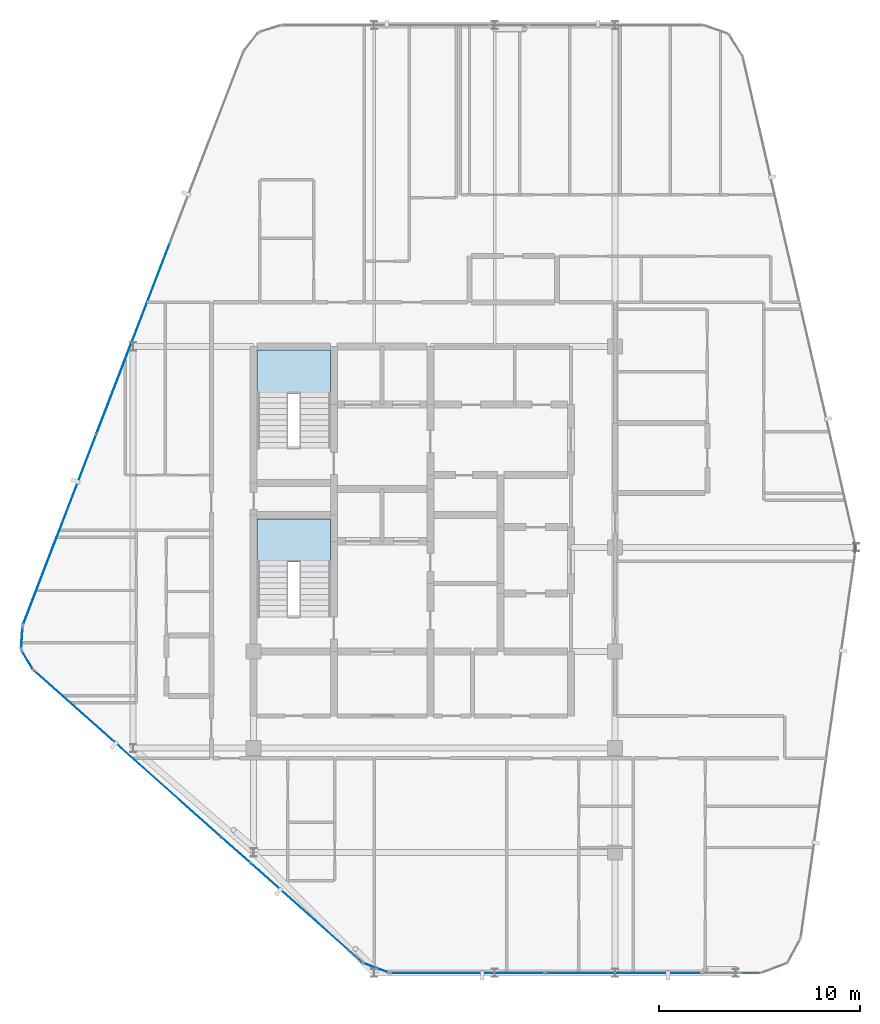
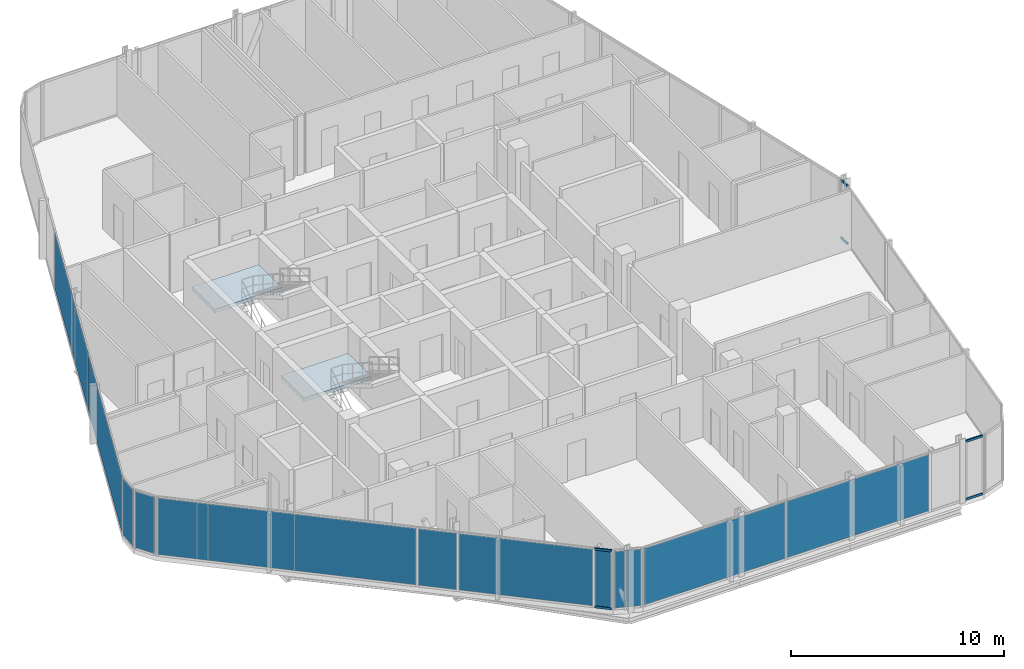
# One storey, part 22 of 30: 11 plates, 6 members, 2 slabs, 13 elements without a shape of their own.
"""IFC4 building model written with IfcOpenShell, lengths in metres."""

from ifc_helpers import new_model, si_unit, direction, frame, origin, origin_2d, place, context, subcontext, project, spatial, polyline, rectangle, hollow_rectangle, outline, extrude, material, layer, layer_set, material_profile, profile_set, type_object, element, aggregate, save


model = new_model("IFC4")

# Units and contexts
model_context = context("Model", 3, precision=1e-05, world=origin(), true_north=direction((0.0, 1.0)))
body_context = subcontext(model_context, "Body", "Model", "MODEL_VIEW")
ifc_project = project(units=[si_unit("LENGTHUNIT", "METRE"), si_unit("AREAUNIT", "SQUARE_METRE"), si_unit("VOLUMEUNIT", "CUBIC_METRE"), si_unit("PLANEANGLEUNIT", "RADIAN"), si_unit("MASSUNIT", "GRAM", prefix="KILO")], contexts=[model_context])

# Site, building, storey
site_placement = place(None, origin())
site = spatial("IfcSite", under=ifc_project, at=site_placement, CompositionType="ELEMENT")
building_placement = place(site_placement, origin())
building = spatial("IfcBuilding", under=site, at=building_placement, Name="Keshet Zoharim Tower", CompositionType="ELEMENT")
storey_placement = place(building_placement, frame((0.0, 0.0, 280.60009765625)))
storey = spatial("IfcBuildingStorey", under=building, at=storey_placement, Name="L70", CompositionType="ELEMENT", Elevation=280.60009765625)

# Curtain wall, members
ifc_material_1 = material(Name="Aluminium 6063-T6", Category="aluminium")
ifc_layer_1 = layer(ifc_material_1, 0.260009765625)
ifc_layer_set_1 = layer_set([ifc_layer_1], Name="Aluminium 6063-T6")
curtain_wall_type = type_object("IfcCurtainWallType", Name="CW-SYS-06", PredefinedType="NOTDEFINED", material=ifc_layer_set_1)
curtain_wall_1_placement = place(storey_placement, origin())
curtain_wall_1 = element("IfcCurtainWall", 1, at=curtain_wall_1_placement, inside=storey, type_object=curtain_wall_type, Name="L70 Unitised Curtain Wall 10", PredefinedType="NOTDEFINED")
ifc_material_profile = material_profile(ifc_material_1, hollow_rectangle(XDim=0.074951171875, YDim=0.1201171875, WallThickness=0.00390625, at=origin_2d()), Name="TRN-75x120")
ifc_profile_set = profile_set([ifc_material_profile], Name="Aluminium 6063-T6")
member_type = type_object("IfcMemberType", Name="CWT-T12", PredefinedType="USERDEFINED", material=ifc_profile_set)
member_1_placement = place(storey_placement, frame((44.9189453125, 28.192138671875, 0.034912109375), z_axis=(0.043813905352, -0.99903970977, 0.0), x_axis=(0.99903970977, 0.043813905352, 0.0)))
member_1 = element("IfcMember", 2, at=member_1_placement, type_object=member_type, Name="CW-06 transom 1.1", ObjectType="TRANSOM", PredefinedType="USERDEFINED", context=body_context, shape_type="SweptSolid", body=[
    extrude(hollow_rectangle(XDim=0.074951171875, YDim=0.1201171875, WallThickness=0.00390625, at=origin_2d()), origin(), (0.0, 0.0, 1.0), 0.590576171875),
])
member_2_placement = place(storey_placement, frame((44.9189453125, 28.192138671875, 3.35498046875), z_axis=(0.043813905352, -0.99903970977, 0.0), x_axis=(0.99903970977, 0.043813905352, 0.0)))
member_2 = element("IfcMember", 3, at=member_2_placement, type_object=member_type, Name="CW-06 transom 1.2", ObjectType="TRANSOM", PredefinedType="USERDEFINED", context=body_context, shape_type="SweptSolid", body=[
    extrude(hollow_rectangle(XDim=0.074951171875, YDim=0.1201171875, WallThickness=0.00390625, at=origin_2d()), origin(), (0.0, 0.0, 1.0), 0.590576171875),
])
aggregate(curtain_wall_1, [member_1, member_2])

curtain_wall_2_placement = place(storey_placement, origin())
curtain_wall_2 = element("IfcCurtainWall", 4, at=curtain_wall_2_placement, inside=storey, type_object=curtain_wall_type, Name="L70 Unitised Curtain Wall 14", PredefinedType="NOTDEFINED")
member_3_placement = place(storey_placement, frame((40.193115234375, 6.699951171875, 0.034912109375), z_axis=(-1.0, 0.0, 0.0), x_axis=(0.0, -1.0, 0.0)))
member_3 = element("IfcMember", 5, at=member_3_placement, type_object=member_type, Name="CW-06 transom 1.1", ObjectType="TRANSOM", PredefinedType="USERDEFINED", context=body_context, shape_type="SweptSolid", body=[
    extrude(hollow_rectangle(XDim=0.074951171875, YDim=0.1201171875, WallThickness=0.00390625, at=origin_2d()), origin(), (0.0, 0.0, 1.0), 0.898193359375),
])
member_4_placement = place(storey_placement, frame((40.193115234375, 6.699951171875, 3.35498046875), z_axis=(-1.0, 0.0, 0.0), x_axis=(0.0, -1.0, 0.0)))
member_4 = element("IfcMember", 6, at=member_4_placement, type_object=member_type, Name="CW-06 transom 1.2", ObjectType="TRANSOM", PredefinedType="USERDEFINED", context=body_context, shape_type="SweptSolid", body=[
    extrude(hollow_rectangle(XDim=0.074951171875, YDim=0.1201171875, WallThickness=0.00390625, at=origin_2d()), origin(), (0.0, 0.0, 1.0), 0.898193359375),
])
aggregate(curtain_wall_2, [member_3, member_4])

curtain_wall_3_placement = place(storey_placement, origin())
curtain_wall_3 = element("IfcCurtainWall", 7, at=curtain_wall_3_placement, inside=storey, type_object=curtain_wall_type, Name="L70 Unitised Curtain Wall 16", PredefinedType="NOTDEFINED")
member_5_placement = place(storey_placement, frame((20.379638671875, 7.25146484375, 0.034912109375), z_axis=(-0.747425688953, 0.66434542182, 0.0), x_axis=(-0.66434542182, -0.747425688953, 0.0)))
member_5 = element("IfcMember", 8, at=member_5_placement, type_object=member_type, Name="CW-06 transom 1.1", ObjectType="TRANSOM", PredefinedType="USERDEFINED", context=body_context, shape_type="SweptSolid", body=[
    extrude(hollow_rectangle(XDim=0.074951171875, YDim=0.1201171875, WallThickness=0.00390625, at=origin_2d()), origin(), (0.0, 0.0, 1.0), 0.82275390625),
])
member_6_placement = place(storey_placement, frame((20.379638671875, 7.25146484375, 3.35498046875), z_axis=(-0.747425688953, 0.66434542182, 0.0), x_axis=(-0.66434542182, -0.747425688953, 0.0)))
member_6 = element("IfcMember", 9, at=member_6_placement, type_object=member_type, Name="CW-06 transom 1.2", ObjectType="TRANSOM", PredefinedType="USERDEFINED", context=body_context, shape_type="SweptSolid", body=[
    extrude(hollow_rectangle(XDim=0.074951171875, YDim=0.1201171875, WallThickness=0.00390625, at=origin_2d()), origin(), (0.0, 0.0, 1.0), 0.82275390625),
])

# Curtain wall, plate
curtain_wall_4_placement = place(storey_placement, origin())
curtain_wall_4 = element("IfcCurtainWall", 10, at=curtain_wall_4_placement, inside=storey, type_object=curtain_wall_type, Name="L70 Unitised Curtain Wall 01", PredefinedType="NOTDEFINED")
ifc_material_2 = material(Name="Insulated Low-E Clear Glass", Category="glass")
ifc_layer_2 = layer(ifc_material_2, 0.028076171875)
ifc_layer_set_2 = layer_set([ifc_layer_2], Name="Insulated Low-E Clear Glass")
plate_type_1 = type_object("IfcPlateType", Name="CWP-03", PredefinedType="CURTAIN_PANEL", material=ifc_layer_set_2)
plate_1_placement = place(storey_placement, frame((3.7275390625, 22.291015625, 0.06982421875), z_axis=(0.0, 0.0, 1.0), x_axis=(-0.515604947933, 0.856826433805, 0.0)))
plate_1 = element("IfcPlate", 11, at=plate_1_placement, type_object=plate_type_1, Name="CW-06 panel 1.1", PredefinedType="CURTAIN_PANEL", context=body_context, shape_type="SweptSolid", body=[
    extrude(rectangle(XDim=1.052734375, YDim=0.028076171875, at=origin_2d()), origin(), (0.0, 0.0, 1.0), 3.25),
])
aggregate(curtain_wall_4, [plate_1])

curtain_wall_5_placement = place(storey_placement, origin())
curtain_wall_5 = element("IfcCurtainWall", 12, at=curtain_wall_5_placement, inside=storey, type_object=curtain_wall_type, Name="L70 Unitised Curtain Wall 02", PredefinedType="NOTDEFINED")
plate_2_placement = place(storey_placement, frame((3.45849609375, 23.3974609375, 0.06982421875), z_axis=(0.0, 0.0, 1.0), x_axis=(0.064516859374, 0.997916617186, 0.0)))
plate_2 = element("IfcPlate", 13, at=plate_2_placement, type_object=plate_type_1, Name="CW-06 panel 1.1", PredefinedType="CURTAIN_PANEL", context=body_context, shape_type="SweptSolid", body=[
    extrude(rectangle(XDim=1.053466796875, YDim=0.028076171875, at=origin_2d()), origin(), (0.0, 0.0, 1.0), 3.25),
])
aggregate(curtain_wall_5, [plate_2])

# Curtain wall, plates
curtain_wall_6_placement = place(storey_placement, origin())
curtain_wall_6 = element("IfcCurtainWall", 14, at=curtain_wall_6_placement, inside=storey, type_object=curtain_wall_type, Name="L70 Unitised Curtain Wall 03", PredefinedType="NOTDEFINED")
plate_3_placement = place(storey_placement, frame((5.33837890625, 28.7802734375, 0.06982421875), z_axis=(0.0, 0.0, 1.0), x_axis=(0.358990003907, 0.933341404361, 0.0)))
plate_3 = element("IfcPlate", 15, at=plate_3_placement, type_object=plate_type_1, Name="CW-06 panel 1.1", PredefinedType="CURTAIN_PANEL", context=body_context, shape_type="SweptSolid", body=[
    extrude(rectangle(XDim=10.1181640625, YDim=0.028076171875, at=origin_2d()), origin(), (0.0, 0.0, 1.0), 3.25),
])
plate_4_placement = place(storey_placement, frame((9.001953125, 38.305419921875, 0.06982421875), z_axis=(0.0, 0.0, 1.0), x_axis=(0.358990003907, 0.933341404361, 0.0)))
plate_4 = element("IfcPlate", 16, at=plate_4_placement, type_object=plate_type_1, Name="CW-06 panel 2.1", PredefinedType="CURTAIN_PANEL", context=body_context, shape_type="SweptSolid", body=[
    extrude(rectangle(XDim=10.153076171875, YDim=0.028076171875, at=origin_2d()), origin(), (0.0, 0.0, 1.0), 3.25),
])
aggregate(curtain_wall_6, [plate_3, plate_4])

curtain_wall_7_placement = place(storey_placement, origin())
curtain_wall_7 = element("IfcCurtainWall", 17, at=curtain_wall_7_placement, inside=storey, type_object=curtain_wall_type, Name="L70 Unitised Curtain Wall 14 Part 3", PredefinedType="NOTDEFINED")
plate_5_placement = place(storey_placement, frame((33.413818359375, 6.699951171875, 0.06982421875), z_axis=(0.0, 0.0, 1.0), x_axis=(-1.0, 0.0, 0.0)))
plate_5 = element("IfcPlate", 18, at=plate_5_placement, type_object=plate_type_1, Name="CW-06 panel 1.1", PredefinedType="CURTAIN_PANEL", context=body_context, shape_type="SweptSolid", body=[
    extrude(rectangle(XDim=7.72265625, YDim=0.028076171875, at=origin_2d()), origin(), (0.0, 0.0, 1.0), 3.25),
])
plate_6_placement = place(storey_placement, frame((25.65625, 6.699951171875, 0.06982421875), z_axis=(0.0, 0.0, 1.0), x_axis=(-1.0, 0.0, 0.0)))
plate_6 = element("IfcPlate", 19, at=plate_6_placement, type_object=plate_type_1, Name="CW-06 panel 2.1", PredefinedType="CURTAIN_PANEL", context=body_context, shape_type="SweptSolid", body=[
    extrude(rectangle(XDim=7.652587890625, YDim=0.028076171875, at=origin_2d()), origin(), (0.0, 0.0, 1.0), 3.25),
])
aggregate(curtain_wall_7, [plate_5, plate_6])

# Curtain wall, plate
curtain_wall_8_placement = place(storey_placement, origin())
curtain_wall_8 = element("IfcCurtainWall", 20, at=curtain_wall_8_placement, inside=storey, type_object=curtain_wall_type, Name="L70 Unitised Curtain Wall 16 Part 2", PredefinedType="NOTDEFINED")
plate_7_placement = place(storey_placement, frame((17.30078125, 9.98828125, 0.06982421875), z_axis=(0.0, 0.0, 1.0), x_axis=(-0.747408472879, 0.664364790358, 0.0)))
plate_7 = element("IfcPlate", 21, at=plate_7_placement, type_object=plate_type_1, Name="CW-06 panel 1.1", PredefinedType="CURTAIN_PANEL", context=body_context, shape_type="SweptSolid", body=[
    extrude(rectangle(XDim=6.453125, YDim=0.028076171875, at=origin_2d()), origin(), (0.0, 0.0, 1.0), 3.25),
])
aggregate(curtain_wall_8, [plate_7])

curtain_wall_9_placement = place(storey_placement, origin())
curtain_wall_9 = element("IfcCurtainWall", 22, at=curtain_wall_9_placement, inside=storey, type_object=curtain_wall_type, Name="L70 Unitised Curtain Wall 16 Part 4", PredefinedType="NOTDEFINED")
plate_8_placement = place(storey_placement, frame((8.7333984375, 17.603515625, 0.06982421875), z_axis=(0.0, 0.0, 1.0), x_axis=(-0.747409318679, 0.664363838836, 0.0)))
plate_8 = element("IfcPlate", 23, at=plate_8_placement, type_object=plate_type_1, Name="CW-06 panel 1.1", PredefinedType="CURTAIN_PANEL", context=body_context, shape_type="SweptSolid", body=[
    extrude(rectangle(XDim=12.432861328125, YDim=0.028076171875, at=origin_2d()), origin(), (0.0, 0.0, 1.0), 3.25),
])
aggregate(curtain_wall_9, [plate_8])

curtain_wall_10_placement = place(storey_placement, origin())
curtain_wall_10 = element("IfcCurtainWall", 24, at=curtain_wall_10_placement, inside=storey, type_object=curtain_wall_type, Name="L70 Unitised Curtain Wall 15", PredefinedType="NOTDEFINED")
ifc_material_3 = material(Name="Insulated Aluminium Spandrel Panel", Category="aluminium")
ifc_layer_3 = layer(ifc_material_3, 0.028076171875)
ifc_layer_set_3 = layer_set([ifc_layer_3], Name="Insulated Aluminium Spandrel Panel")
plate_type_2 = type_object("IfcPlateType", Name="CWP-06", PredefinedType="CURTAIN_PANEL", material=ifc_layer_set_3)
plate_9_placement = place(storey_placement, frame((21.095947265625, 6.952392578125, 0.06982421875), z_axis=(0.0, 0.0, 1.0), x_axis=(-0.934699418314, 0.355439161326, 0.0)))
plate_9 = element("IfcPlate", 25, at=plate_9_placement, type_object=plate_type_2, Name="CW-06 spandrel panel 1.1", PredefinedType="CURTAIN_PANEL", context=body_context, shape_type="SweptSolid", body=[
    extrude(rectangle(XDim=1.28076171875, YDim=0.028076171875, at=origin_2d()), origin(), (0.0, 0.0, 1.0), 3.25),
])
aggregate(curtain_wall_10, [plate_9])

# Plate
plate_10_placement = place(storey_placement, frame((20.072265625, 7.52490234375, 0.06982421875), z_axis=(0.0, 0.0, 1.0), x_axis=(-0.747426507819, 0.664344500549, 0.0)))
plate_10 = element("IfcPlate", 26, at=plate_10_placement, type_object=plate_type_2, Name="CW-06 spandrel panel 1.1", PredefinedType="CURTAIN_PANEL", context=body_context, shape_type="SweptSolid", body=[
    extrude(rectangle(XDim=0.822998046875, YDim=0.028076171875, at=origin_2d()), origin(), (0.0, 0.0, 1.0), 3.25),
])

aggregate(curtain_wall_3, [member_5, member_6, plate_10])

# Curtain wall, plate
curtain_wall_11_placement = place(storey_placement, origin())
curtain_wall_11 = element("IfcCurtainWall", 27, at=curtain_wall_11_placement, inside=storey, type_object=curtain_wall_type, Name="L70 Unitised Curtain Wall 16 Part 3", PredefinedType="NOTDEFINED")
plate_11_placement = place(storey_placement, frame((14.134521484375, 12.802734375, 0.06982421875), z_axis=(0.0, 0.0, 1.0), x_axis=(-0.747431957629, 0.664338369143, 0.0)))
plate_11 = element("IfcPlate", 28, at=plate_11_placement, type_object=plate_type_2, Name="CW-06 spandrel panel 1.1", PredefinedType="CURTAIN_PANEL", context=body_context, shape_type="SweptSolid", body=[
    extrude(rectangle(XDim=1.879638671875, YDim=0.028076171875, at=origin_2d()), origin(), (0.0, 0.0, 1.0), 3.25),
])
aggregate(curtain_wall_11, [plate_11])

# Stair, slab
ifc_material_4 = material(Name="Concrete C50/60", Category="concrete")
stair_type = type_object("IfcStairType", Name="STR-EXIT-135", PredefinedType="HALF_TURN_STAIR", material=ifc_material_4)
stair_1_placement = place(storey_placement, origin())
stair_1 = element("IfcStair", 29, at=stair_1_placement, inside=storey, type_object=stair_type, Name="L70 Enclosed Exit Stair ST-01", PredefinedType="HALF_TURN_STAIR")
ifc_layer_4 = layer(ifc_material_4, 0.199951171875)
ifc_layer_set_4 = layer_set([ifc_layer_4], Name="Concrete C50/60")
slab_type = type_object("IfcSlabType", Name="SLB-LND-200", PredefinedType="LANDING", material=ifc_layer_set_4)
slab_1_placement = place(storey_placement, frame((0.0, 0.0, 1.64990234375)))
slab_1 = element("IfcSlab", 30, at=slab_1_placement, type_object=slab_type, Name="ST-01 landing 1", PredefinedType="LANDING", context=body_context, shape_type="SweptSolid", body=[
    extrude(outline(polyline([(15.179931640625, 27.159912109375), (18.820068359375, 27.159912109375), (18.820068359375, 29.320068359375), (15.179931640625, 29.320068359375), (15.179931640625, 27.159912109375)])), origin(), (0.0, 0.0, 1.0), 0.199951171875),
])
aggregate(stair_1, [slab_1])

stair_2_placement = place(storey_placement, origin())
stair_2 = element("IfcStair", 31, at=stair_2_placement, inside=storey, type_object=stair_type, Name="L70 Enclosed Exit Stair ST-02", PredefinedType="HALF_TURN_STAIR")
slab_2_placement = place(storey_placement, frame((0.0, 0.0, 1.64990234375)))
slab_2 = element("IfcSlab", 32, at=slab_2_placement, type_object=slab_type, Name="ST-02 landing 1", PredefinedType="LANDING", context=body_context, shape_type="SweptSolid", body=[
    extrude(outline(polyline([(15.179931640625, 35.56005859375), (18.820068359375, 35.56005859375), (18.820068359375, 37.719970703125), (15.179931640625, 37.719970703125), (15.179931640625, 35.56005859375)])), origin(), (0.0, 0.0, 1.0), 0.199951171875),
])
aggregate(stair_2, [slab_2])

save(model, "model.ifc")
